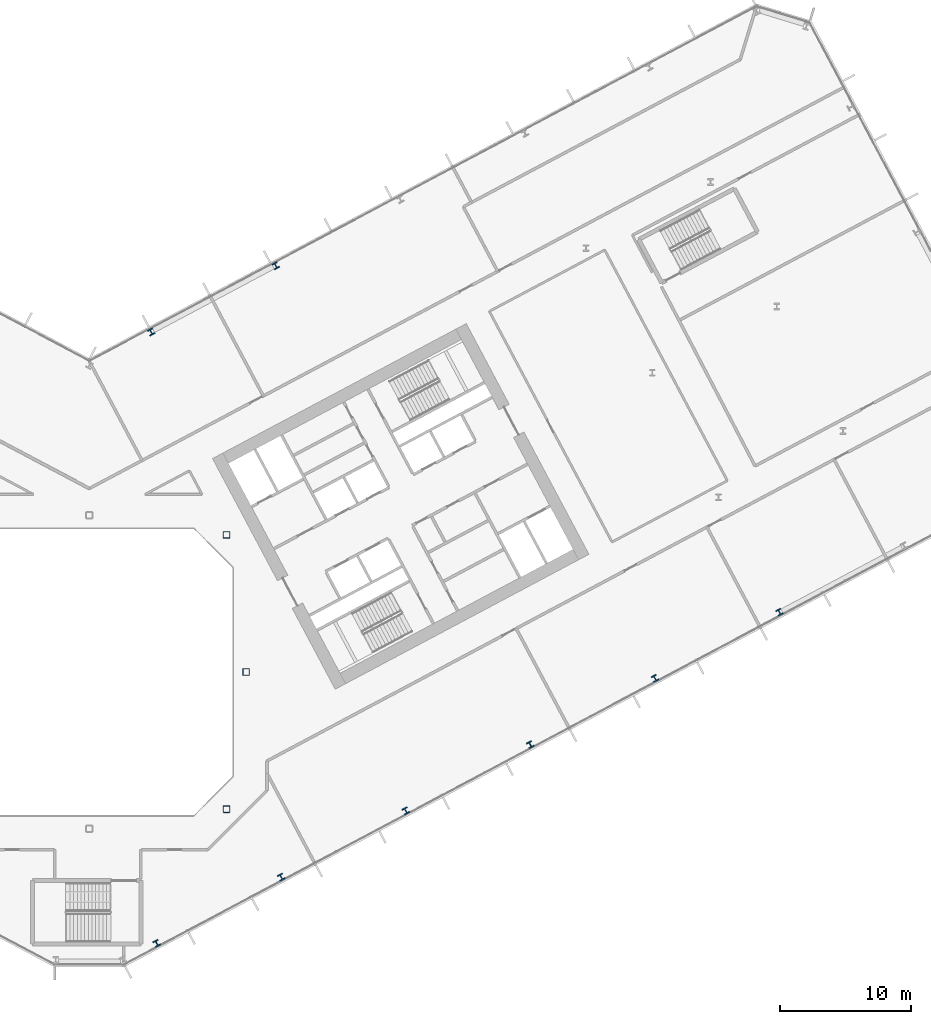
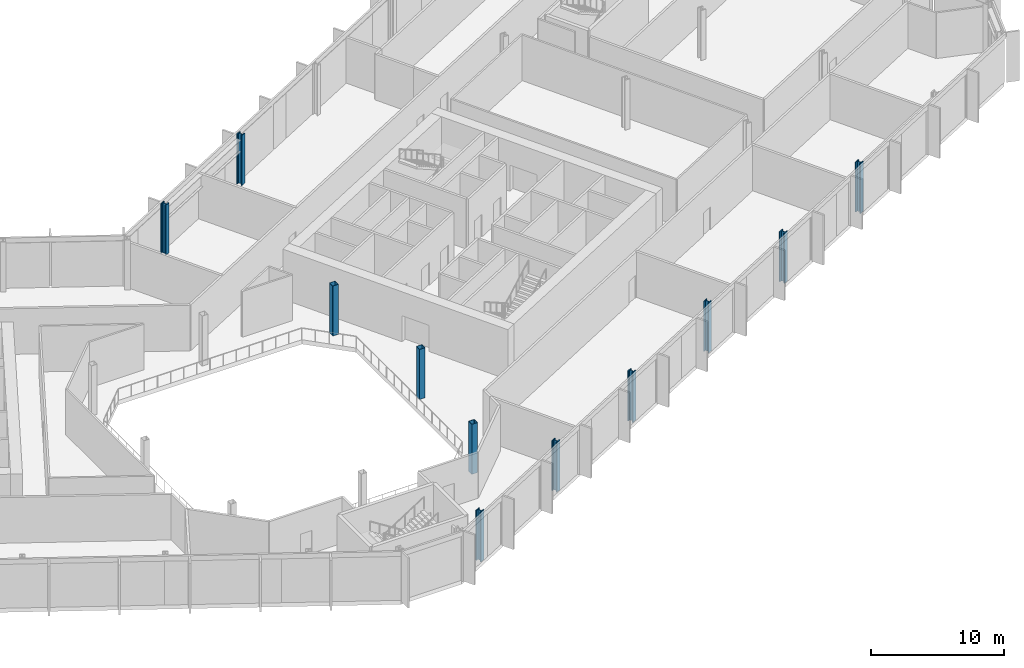
# One storey, part 3 of 32: 11 columns.
"""IFC4 building model written with IfcOpenShell, lengths in metres."""

from ifc_helpers import new_model, si_unit, direction, frame, origin, origin_2d, place, context, subcontext, project, spatial, hollow_rectangle, i_section, extrude, material, material_profile, profile_set, type_object, element, save


model = new_model("IFC4")

# Units and contexts
model_context = context("Model", 3, precision=1e-05, world=origin(), true_north=direction((0.0, 1.0)))
body_context = subcontext(model_context, "Body", "Model", "MODEL_VIEW")
ifc_project = project(units=[si_unit("LENGTHUNIT", "METRE"), si_unit("AREAUNIT", "SQUARE_METRE"), si_unit("VOLUMEUNIT", "CUBIC_METRE"), si_unit("PLANEANGLEUNIT", "RADIAN"), si_unit("MASSUNIT", "GRAM", prefix="KILO")], contexts=[model_context])

# Site, building, storey
site_placement = place(None, origin())
site = spatial("IfcSite", under=ifc_project, at=site_placement, CompositionType="ELEMENT")
building_placement = place(site_placement, origin())
building = spatial("IfcBuilding", under=site, at=building_placement, Name="Cormorant Relay Tower", CompositionType="ELEMENT")
storey_placement = place(building_placement, frame((0.0, 0.0, 75.39990234375)))
storey = spatial("IfcBuildingStorey", under=building, at=storey_placement, Name="L14", CompositionType="ELEMENT", Elevation=75.39990234375)

# Columns
ifc_material_1 = material(Name="Steel ASTM A500 Grade C (Fy 345 MPa)", Category="steel")
ifc_material_profile_1 = material_profile(ifc_material_1, hollow_rectangle(XDim=0.508056640625, YDim=0.508056640625, WallThickness=0.020751953125, InnerFilletRadius=0.01025390625, OuterFilletRadius=0.031005859375, at=origin_2d()), Name="HSS508x508x21")
ifc_profile_set_1 = profile_set([ifc_material_profile_1], Name="Steel ASTM A500 Grade C (Fy 345 MPa)")
column_type_1 = type_object("IfcColumnType", Name="Column HSS508x508x21", PredefinedType="COLUMN", material=ifc_profile_set_1)
for number, where, z_axis, x_axis, name in (
    (1, (10.5, -10.5, 0.0), (0.0, 0.0, 1.0), (1.0, 0.0, 0.0), "Column L14-010"),
    (2, (12.0, 0.0, 0.0), (0.0, 0.0, 1.0), (1.0, 0.0, 0.0), "Column L14-016"),
    (3, (10.5, 10.5, 0.0), (0.0, 0.0, 1.0), (1.0, 0.0, 0.0), "Column L14-023"),
):
    element("IfcColumn", number, at=place(storey_placement, frame(where, z_axis=z_axis, x_axis=x_axis)), inside=storey, type_object=column_type_1, Name=name, PredefinedType="COLUMN", context=body_context, shape_type="SweptSolid", body=[
        extrude(hollow_rectangle(XDim=0.508056640625, YDim=0.508056640625, WallThickness=0.020751953125, InnerFilletRadius=0.01025390625, OuterFilletRadius=0.031005859375, at=origin_2d()), origin(), (0.0, 0.0, 1.0), 4.60009765625),
    ])
ifc_material_2 = material(Name="Steel ASTM A992 (Fy 345 MPa)", Category="steel")
ifc_material_profile_2 = material_profile(ifc_material_2, i_section(OverallWidth=0.42431640625, OverallDepth=0.47509765625, WebThickness=0.0478515625, FlangeThickness=0.0771484375, FilletRadius=0.014892578125, at=origin_2d()), Name="W360x634")
ifc_profile_set_2 = profile_set([ifc_material_profile_2], Name="Steel ASTM A992 (Fy 345 MPa)")
column_type_2 = type_object("IfcColumnType", Name="Column W360x634", PredefinedType="COLUMN", material=ifc_profile_set_2)
for number, where, z_axis, x_axis, name in (
    (4, (5.155029296875, -20.77099609375, 0.0), (0.0, 0.0, 1.0), (0.882947592859, 0.469471562786, 0.0), "Column L14-003"),
    (5, (14.69091796875, -15.700927734375, 0.0), (0.0, 0.0, 1.0), (0.882947592859, 0.469471562786, 0.0), "Column L14-005"),
    (6, (24.22705078125, -10.631103515625, 0.0), (0.0, 0.0, 1.0), (0.882947592859, 0.469471562786, 0.0), "Column L14-008"),
    (7, (33.761962890625, -5.56005859375, 0.0), (0.0, 0.0, 1.0), (0.882947592859, 0.469471562786, 0.0), "Column L14-012"),
    (8, (43.298095703125, -0.489990234375, 0.0), (0.0, 0.0, 1.0), (0.882947592859, 0.469471562786, 0.0), "Column L14-014"),
    (9, (52.833984375, 4.580078125, 0.0), (0.0, 0.0, 1.0), (0.882947592859, 0.469471562786, 0.0), "Column L14-019"),
    (10, (4.73388671875, 26.029052734375, 0.0), (0.0, 0.0, 1.0), (-0.882947592859, -0.469471562786, 0.0), "Column L14-035"),
    (11, (14.27001953125, 31.10009765625, 0.0), (0.0, 0.0, 1.0), (-0.882947592859, -0.469471562786, 0.0), "Column L14-039"),
):
    element("IfcColumn", number, at=place(storey_placement, frame(where, z_axis=z_axis, x_axis=x_axis)), inside=storey, type_object=column_type_2, Name=name, PredefinedType="COLUMN", context=body_context, shape_type="SweptSolid", body=[
        extrude(i_section(OverallWidth=0.42431640625, OverallDepth=0.47509765625, WebThickness=0.0478515625, FlangeThickness=0.0771484375, FilletRadius=0.014892578125, at=origin_2d()), origin(), (0.0, 0.0, 1.0), 4.60009765625),
    ])

save(model, "model.ifc")
